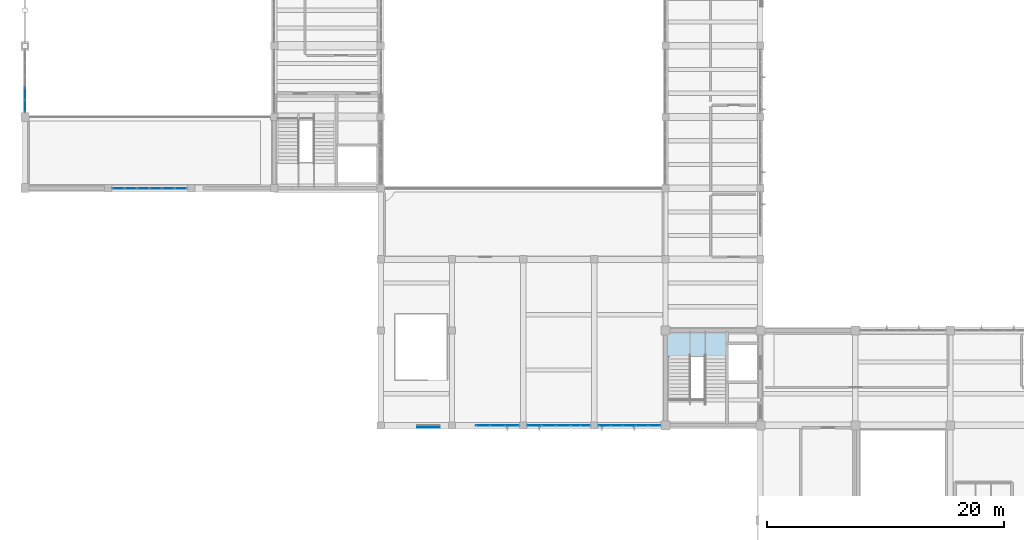
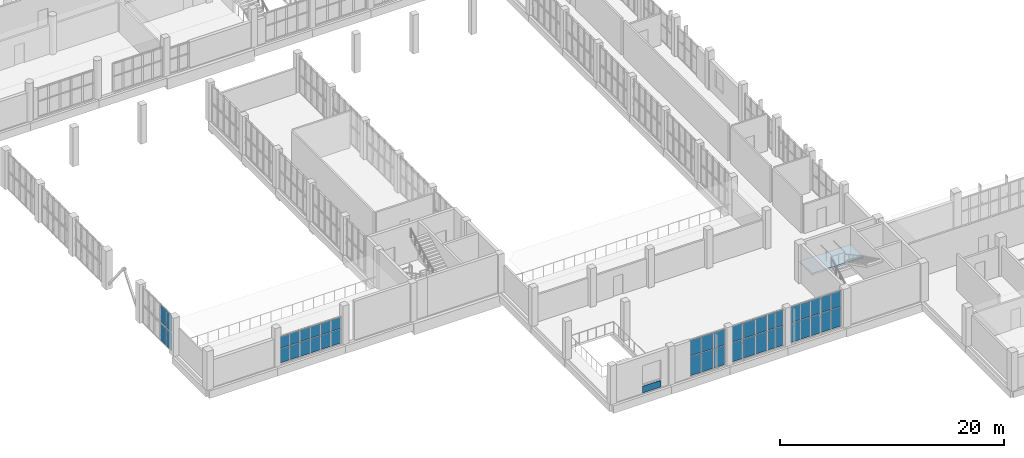
# One storey, part 45 of 85: 43 plates, 1 slab, 8 elements without a shape of their own.
"""IFC4 building model written with IfcOpenShell, lengths in metres."""

from ifc_helpers import new_model, si_unit, direction, frame, origin, origin_2d, place, context, subcontext, project, spatial, polyline, rectangle, outline, extrude, material, layer, layer_set, type_object, element, aggregate, save


model = new_model("IFC4")

# Units and contexts
model_context = context("Model", 3, precision=1e-05, world=origin(), true_north=direction((0.0, 1.0)))
body_context = subcontext(model_context, "Body", "Model", "MODEL_VIEW")
ifc_project = project(units=[si_unit("LENGTHUNIT", "METRE"), si_unit("AREAUNIT", "SQUARE_METRE"), si_unit("VOLUMEUNIT", "CUBIC_METRE"), si_unit("PLANEANGLEUNIT", "RADIAN"), si_unit("MASSUNIT", "GRAM", prefix="KILO")], contexts=[model_context])

# Site, building, storey
site_placement = place(None, origin())
site = spatial("IfcSite", under=ifc_project, at=site_placement, CompositionType="ELEMENT")
building_placement = place(site_placement, origin())
building = spatial("IfcBuilding", under=site, at=building_placement, Name="Solvane Community Centre", CompositionType="ELEMENT")
storey_placement = place(building_placement, frame((0.0, 0.0, 5.39990234375)))
storey = spatial("IfcBuildingStorey", under=building, at=storey_placement, Name="L01", CompositionType="ELEMENT", Elevation=5.39990234375)

# Plate
ifc_material_1 = material(Name="Anodised bronze aluminium AW-6063 T6", Category="aluminium")
ifc_layer_1 = layer(ifc_material_1, 0.02392578125)
ifc_layer_set_1 = layer_set([ifc_layer_1], Name="Anodised bronze aluminium AW-6063 T6")
plate_type_1 = type_object("IfcPlateType", Name="Bronze Spandrel Cassette 24mm", PredefinedType="SHEET", material=ifc_layer_set_1)
plate_1_placement = place(storey_placement, frame((40.0, 21.81298828125, 0.06005859375), z_axis=(0.0, 0.0, 1.0), x_axis=(-1.0, 0.0, 0.0)))
element("IfcPlate", 1, at=plate_1_placement, inside=storey, type_object=plate_type_1, Name="Art Deco Spandrel SPC-L01-025", PredefinedType="SHEET", context=body_context, shape_type="SweptSolid", body=[
    extrude(rectangle(XDim=1.89990234375, YDim=0.02392578125, at=origin_2d()), origin(), (0.0, 0.0, 1.0), 0.719970703125),
])

# Curtain wall, plates
ifc_layer_2 = layer(ifc_material_1, 0.18994140625)
ifc_layer_set_2 = layer_set([ifc_layer_2], Name="Anodised bronze aluminium AW-6063 T6")
curtain_wall_type_1 = type_object("IfcCurtainWallType", Name="Boulevard Bronze Vision Curtain Wall [17x40dm]", PredefinedType="NOTDEFINED", material=ifc_layer_set_2)
curtain_wall_1_placement = place(storey_placement, origin())
curtain_wall_1 = element("IfcCurtainWall", 2, at=curtain_wall_1_placement, inside=storey, type_object=curtain_wall_type_1, Name="Curtain Wall CW-L01-537_220-081", PredefinedType="NOTDEFINED")
ifc_material_2 = material(Name="Tempered low-E double glazing", Category="glass")
ifc_layer_3 = layer(ifc_material_2, 0.028076171875)
ifc_layer_set_3 = layer_set([ifc_layer_3], Name="Tempered low-E double glazing")
plate_type_2 = type_object("IfcPlateType", Name="Low-E Vision Glazing Panel 28mm [17x40dm]", PredefinedType="CURTAIN_PANEL", material=ifc_layer_set_3)
plate_2_placement = place(storey_placement, frame((53.2451171875, 22.0, 0.06005859375), z_axis=(0.0, 0.0, 1.0), x_axis=(-1.0, 0.0, 0.0)))
plate_2 = element("IfcPlate", 3, at=plate_2_placement, type_object=plate_type_2, Name="CW02-17x40 panel 1.1", PredefinedType="CURTAIN_PANEL", context=body_context, shape_type="SweptSolid", body=[
    extrude(rectangle(XDim=0.75, YDim=0.028076171875, at=origin_2d()), origin(), (0.0, 0.0, 1.0), 2.09912109375),
])
plate_3_placement = place(storey_placement, frame((53.2451171875, 22.0, 2.21923828125), z_axis=(0.0, 0.0, 1.0), x_axis=(-1.0, 0.0, 0.0)))
plate_3 = element("IfcPlate", 4, at=plate_3_placement, type_object=plate_type_2, Name="CW02-17x40 panel 1.2", PredefinedType="CURTAIN_PANEL", context=body_context, shape_type="SweptSolid", body=[
    extrude(rectangle(XDim=0.75, YDim=0.028076171875, at=origin_2d()), origin(), (0.0, 0.0, 1.0), 1.700927734375),
])
plate_4_placement = place(storey_placement, frame((52.43505859375, 22.0, 0.06005859375), z_axis=(0.0, 0.0, 1.0), x_axis=(-1.0, 0.0, 0.0)))
plate_4 = element("IfcPlate", 5, at=plate_4_placement, type_object=plate_type_2, Name="CW02-17x40 panel 2.1", PredefinedType="CURTAIN_PANEL", context=body_context, shape_type="SweptSolid", body=[
    extrude(rectangle(XDim=0.75, YDim=0.028076171875, at=origin_2d()), origin(), (0.0, 0.0, 1.0), 2.09912109375),
])
plate_5_placement = place(storey_placement, frame((52.43505859375, 22.0, 2.21923828125), z_axis=(0.0, 0.0, 1.0), x_axis=(-1.0, 0.0, 0.0)))
plate_5 = element("IfcPlate", 6, at=plate_5_placement, type_object=plate_type_2, Name="CW02-17x40 panel 2.2", PredefinedType="CURTAIN_PANEL", context=body_context, shape_type="SweptSolid", body=[
    extrude(rectangle(XDim=0.75, YDim=0.028076171875, at=origin_2d()), origin(), (0.0, 0.0, 1.0), 1.700927734375),
])
aggregate(curtain_wall_1, [plate_2, plate_3, plate_4, plate_5])

ifc_layer_4 = layer(ifc_material_1, 0.18994140625)
ifc_layer_set_4 = layer_set([ifc_layer_4], Name="Anodised bronze aluminium AW-6063 T6")
curtain_wall_type_2 = type_object("IfcCurtainWallType", Name="Boulevard Bronze Vision Curtain Wall [37x40dm]", PredefinedType="NOTDEFINED", material=ifc_layer_set_4)
curtain_wall_2_placement = place(storey_placement, origin())
curtain_wall_2 = element("IfcCurtainWall", 7, at=curtain_wall_2_placement, inside=storey, type_object=curtain_wall_type_2, Name="Curtain Wall CW-L01-520_220-082", PredefinedType="NOTDEFINED")
ifc_layer_5 = layer(ifc_material_2, 0.028076171875)
ifc_layer_set_5 = layer_set([ifc_layer_5], Name="Tempered low-E double glazing")
plate_type_3 = type_object("IfcPlateType", Name="Low-E Vision Glazing Panel 28mm [37x40dm]", PredefinedType="CURTAIN_PANEL", material=ifc_layer_set_5)
plate_6_placement = place(storey_placement, frame((51.37158203125, 22.0, 0.06005859375), z_axis=(0.0, 0.0, 1.0), x_axis=(-1.0, 0.0, 0.0)))
plate_6 = element("IfcPlate", 8, at=plate_6_placement, type_object=plate_type_3, Name="CW02-37x40 panel 1.1", PredefinedType="CURTAIN_PANEL", context=body_context, shape_type="SweptSolid", body=[
    extrude(rectangle(XDim=1.13671875, YDim=0.028076171875, at=origin_2d()), origin(), (0.0, 0.0, 1.0), 2.09912109375),
])
plate_7_placement = place(storey_placement, frame((51.37158203125, 22.0, 2.21923828125), z_axis=(0.0, 0.0, 1.0), x_axis=(-1.0, 0.0, 0.0)))
plate_7 = element("IfcPlate", 9, at=plate_7_placement, type_object=plate_type_3, Name="CW02-37x40 panel 1.2", PredefinedType="CURTAIN_PANEL", context=body_context, shape_type="SweptSolid", body=[
    extrude(rectangle(XDim=1.13671875, YDim=0.028076171875, at=origin_2d()), origin(), (0.0, 0.0, 1.0), 1.700927734375),
])
plate_8_placement = place(storey_placement, frame((50.159912109375, 22.0, 0.06005859375), z_axis=(0.0, 0.0, 1.0), x_axis=(-1.0, 0.0, 0.0)))
plate_8 = element("IfcPlate", 10, at=plate_8_placement, type_object=plate_type_3, Name="CW02-37x40 panel 2.1", PredefinedType="CURTAIN_PANEL", context=body_context, shape_type="SweptSolid", body=[
    extrude(rectangle(XDim=1.166748046875, YDim=0.028076171875, at=origin_2d()), origin(), (0.0, 0.0, 1.0), 2.09912109375),
])
plate_9_placement = place(storey_placement, frame((50.159912109375, 22.0, 2.21923828125), z_axis=(0.0, 0.0, 1.0), x_axis=(-1.0, 0.0, 0.0)))
plate_9 = element("IfcPlate", 11, at=plate_9_placement, type_object=plate_type_3, Name="CW02-37x40 panel 2.2", PredefinedType="CURTAIN_PANEL", context=body_context, shape_type="SweptSolid", body=[
    extrude(rectangle(XDim=1.166748046875, YDim=0.028076171875, at=origin_2d()), origin(), (0.0, 0.0, 1.0), 1.700927734375),
])
plate_10_placement = place(storey_placement, frame((48.9482421875, 22.0, 0.06005859375), z_axis=(0.0, 0.0, 1.0), x_axis=(-1.0, 0.0, 0.0)))
plate_10 = element("IfcPlate", 12, at=plate_10_placement, type_object=plate_type_3, Name="CW02-37x40 panel 3.1", PredefinedType="CURTAIN_PANEL", context=body_context, shape_type="SweptSolid", body=[
    extrude(rectangle(XDim=1.13671875, YDim=0.028076171875, at=origin_2d()), origin(), (0.0, 0.0, 1.0), 2.09912109375),
])
plate_11_placement = place(storey_placement, frame((48.9482421875, 22.0, 2.21923828125), z_axis=(0.0, 0.0, 1.0), x_axis=(-1.0, 0.0, 0.0)))
plate_11 = element("IfcPlate", 13, at=plate_11_placement, type_object=plate_type_3, Name="CW02-37x40 panel 3.2", PredefinedType="CURTAIN_PANEL", context=body_context, shape_type="SweptSolid", body=[
    extrude(rectangle(XDim=1.13671875, YDim=0.028076171875, at=origin_2d()), origin(), (0.0, 0.0, 1.0), 1.700927734375),
])
aggregate(curtain_wall_2, [plate_6, plate_7, plate_8, plate_9, plate_10, plate_11])

curtain_wall_3_placement = place(storey_placement, origin())
curtain_wall_3 = element("IfcCurtainWall", 14, at=curtain_wall_3_placement, inside=storey, type_object=curtain_wall_type_2, Name="Curtain Wall CW-L01-477_220-083", PredefinedType="NOTDEFINED")
plate_12_placement = place(storey_placement, frame((47.0517578125, 22.0, 0.06005859375), z_axis=(0.0, 0.0, 1.0), x_axis=(-1.0, 0.0, 0.0)))
plate_12 = element("IfcPlate", 15, at=plate_12_placement, type_object=plate_type_3, Name="CW02-37x40 panel 1.1", PredefinedType="CURTAIN_PANEL", context=body_context, shape_type="SweptSolid", body=[
    extrude(rectangle(XDim=1.13671875, YDim=0.028076171875, at=origin_2d()), origin(), (0.0, 0.0, 1.0), 2.09912109375),
])
plate_13_placement = place(storey_placement, frame((47.0517578125, 22.0, 2.21923828125), z_axis=(0.0, 0.0, 1.0), x_axis=(-1.0, 0.0, 0.0)))
plate_13 = element("IfcPlate", 16, at=plate_13_placement, type_object=plate_type_3, Name="CW02-37x40 panel 1.2", PredefinedType="CURTAIN_PANEL", context=body_context, shape_type="SweptSolid", body=[
    extrude(rectangle(XDim=1.13671875, YDim=0.028076171875, at=origin_2d()), origin(), (0.0, 0.0, 1.0), 1.700927734375),
])
plate_14_placement = place(storey_placement, frame((45.840087890625, 22.0, 0.06005859375), z_axis=(0.0, 0.0, 1.0), x_axis=(-1.0, 0.0, 0.0)))
plate_14 = element("IfcPlate", 17, at=plate_14_placement, type_object=plate_type_3, Name="CW02-37x40 panel 2.1", PredefinedType="CURTAIN_PANEL", context=body_context, shape_type="SweptSolid", body=[
    extrude(rectangle(XDim=1.166748046875, YDim=0.028076171875, at=origin_2d()), origin(), (0.0, 0.0, 1.0), 2.09912109375),
])
plate_15_placement = place(storey_placement, frame((45.840087890625, 22.0, 2.21923828125), z_axis=(0.0, 0.0, 1.0), x_axis=(-1.0, 0.0, 0.0)))
plate_15 = element("IfcPlate", 18, at=plate_15_placement, type_object=plate_type_3, Name="CW02-37x40 panel 2.2", PredefinedType="CURTAIN_PANEL", context=body_context, shape_type="SweptSolid", body=[
    extrude(rectangle(XDim=1.166748046875, YDim=0.028076171875, at=origin_2d()), origin(), (0.0, 0.0, 1.0), 1.700927734375),
])
plate_16_placement = place(storey_placement, frame((44.62841796875, 22.0, 0.06005859375), z_axis=(0.0, 0.0, 1.0), x_axis=(-1.0, 0.0, 0.0)))
plate_16 = element("IfcPlate", 19, at=plate_16_placement, type_object=plate_type_3, Name="CW02-37x40 panel 3.1", PredefinedType="CURTAIN_PANEL", context=body_context, shape_type="SweptSolid", body=[
    extrude(rectangle(XDim=1.13671875, YDim=0.028076171875, at=origin_2d()), origin(), (0.0, 0.0, 1.0), 2.09912109375),
])
plate_17_placement = place(storey_placement, frame((44.62841796875, 22.0, 2.21923828125), z_axis=(0.0, 0.0, 1.0), x_axis=(-1.0, 0.0, 0.0)))
plate_17 = element("IfcPlate", 20, at=plate_17_placement, type_object=plate_type_3, Name="CW02-37x40 panel 3.2", PredefinedType="CURTAIN_PANEL", context=body_context, shape_type="SweptSolid", body=[
    extrude(rectangle(XDim=1.13671875, YDim=0.028076171875, at=origin_2d()), origin(), (0.0, 0.0, 1.0), 1.700927734375),
])
aggregate(curtain_wall_3, [plate_12, plate_13, plate_14, plate_15, plate_16, plate_17])

ifc_layer_6 = layer(ifc_material_1, 0.18994140625)
ifc_layer_set_6 = layer_set([ifc_layer_6], Name="Anodised bronze aluminium AW-6063 T6")
curtain_wall_type_3 = type_object("IfcCurtainWallType", Name="Boulevard Bronze Vision Curtain Wall [53x40dm]", PredefinedType="NOTDEFINED", material=ifc_layer_set_6)
curtain_wall_4_placement = place(storey_placement, origin())
curtain_wall_4 = element("IfcCurtainWall", 21, at=curtain_wall_4_placement, inside=storey, type_object=curtain_wall_type_3, Name="Curtain Wall CW-L01-596_220-080", PredefinedType="NOTDEFINED")
ifc_layer_7 = layer(ifc_material_2, 0.028076171875)
ifc_layer_set_7 = layer_set([ifc_layer_7], Name="Tempered low-E double glazing")
plate_type_4 = type_object("IfcPlateType", Name="Low-E Vision Glazing Panel 28mm [53x40dm]", PredefinedType="CURTAIN_PANEL", material=ifc_layer_set_7)
plate_18_placement = place(storey_placement, frame((59.06591796875, 22.0, 0.06005859375), z_axis=(0.0, 0.0, 1.0), x_axis=(-1.0, 0.0, 0.0)))
plate_18 = element("IfcPlate", 22, at=plate_18_placement, type_object=plate_type_4, Name="CW02-53x40 panel 1.1", PredefinedType="CURTAIN_PANEL", context=body_context, shape_type="SweptSolid", body=[
    extrude(rectangle(XDim=0.968017578125, YDim=0.028076171875, at=origin_2d()), origin(), (0.0, 0.0, 1.0), 2.09912109375),
])
plate_19_placement = place(storey_placement, frame((59.06591796875, 22.0, 2.21923828125), z_axis=(0.0, 0.0, 1.0), x_axis=(-1.0, 0.0, 0.0)))
plate_19 = element("IfcPlate", 23, at=plate_19_placement, type_object=plate_type_4, Name="CW02-53x40 panel 1.2", PredefinedType="CURTAIN_PANEL", context=body_context, shape_type="SweptSolid", body=[
    extrude(rectangle(XDim=0.968017578125, YDim=0.028076171875, at=origin_2d()), origin(), (0.0, 0.0, 1.0), 1.700927734375),
])
plate_20_placement = place(storey_placement, frame((58.02294921875, 22.0, 0.06005859375), z_axis=(0.0, 0.0, 1.0), x_axis=(-1.0, 0.0, 0.0)))
plate_20 = element("IfcPlate", 24, at=plate_20_placement, type_object=plate_type_4, Name="CW02-53x40 panel 2.1", PredefinedType="CURTAIN_PANEL", context=body_context, shape_type="SweptSolid", body=[
    extrude(rectangle(XDim=0.998046875, YDim=0.028076171875, at=origin_2d()), origin(), (0.0, 0.0, 1.0), 2.09912109375),
])
plate_21_placement = place(storey_placement, frame((58.02294921875, 22.0, 2.21923828125), z_axis=(0.0, 0.0, 1.0), x_axis=(-1.0, 0.0, 0.0)))
plate_21 = element("IfcPlate", 25, at=plate_21_placement, type_object=plate_type_4, Name="CW02-53x40 panel 2.2", PredefinedType="CURTAIN_PANEL", context=body_context, shape_type="SweptSolid", body=[
    extrude(rectangle(XDim=0.998046875, YDim=0.028076171875, at=origin_2d()), origin(), (0.0, 0.0, 1.0), 1.700927734375),
])
plate_22_placement = place(storey_placement, frame((56.965087890625, 22.0, 0.06005859375), z_axis=(0.0, 0.0, 1.0), x_axis=(-1.0, 0.0, 0.0)))
plate_22 = element("IfcPlate", 26, at=plate_22_placement, type_object=plate_type_4, Name="CW02-53x40 panel 3.1", PredefinedType="CURTAIN_PANEL", context=body_context, shape_type="SweptSolid", body=[
    extrude(rectangle(XDim=0.998046875, YDim=0.028076171875, at=origin_2d()), origin(), (0.0, 0.0, 1.0), 2.09912109375),
])
plate_23_placement = place(storey_placement, frame((56.965087890625, 22.0, 2.21923828125), z_axis=(0.0, 0.0, 1.0), x_axis=(-1.0, 0.0, 0.0)))
plate_23 = element("IfcPlate", 27, at=plate_23_placement, type_object=plate_type_4, Name="CW02-53x40 panel 3.2", PredefinedType="CURTAIN_PANEL", context=body_context, shape_type="SweptSolid", body=[
    extrude(rectangle(XDim=0.998046875, YDim=0.028076171875, at=origin_2d()), origin(), (0.0, 0.0, 1.0), 1.700927734375),
])
plate_24_placement = place(storey_placement, frame((55.906982421875, 22.0, 0.06005859375), z_axis=(0.0, 0.0, 1.0), x_axis=(-1.0, 0.0, 0.0)))
plate_24 = element("IfcPlate", 28, at=plate_24_placement, type_object=plate_type_4, Name="CW02-53x40 panel 4.1", PredefinedType="CURTAIN_PANEL", context=body_context, shape_type="SweptSolid", body=[
    extrude(rectangle(XDim=0.998046875, YDim=0.028076171875, at=origin_2d()), origin(), (0.0, 0.0, 1.0), 2.09912109375),
])
plate_25_placement = place(storey_placement, frame((55.906982421875, 22.0, 2.21923828125), z_axis=(0.0, 0.0, 1.0), x_axis=(-1.0, 0.0, 0.0)))
plate_25 = element("IfcPlate", 29, at=plate_25_placement, type_object=plate_type_4, Name="CW02-53x40 panel 4.2", PredefinedType="CURTAIN_PANEL", context=body_context, shape_type="SweptSolid", body=[
    extrude(rectangle(XDim=0.998046875, YDim=0.028076171875, at=origin_2d()), origin(), (0.0, 0.0, 1.0), 1.700927734375),
])
plate_26_placement = place(storey_placement, frame((54.864013671875, 22.0, 0.06005859375), z_axis=(0.0, 0.0, 1.0), x_axis=(-1.0, 0.0, 0.0)))
plate_26 = element("IfcPlate", 30, at=plate_26_placement, type_object=plate_type_4, Name="CW02-53x40 panel 5.1", PredefinedType="CURTAIN_PANEL", context=body_context, shape_type="SweptSolid", body=[
    extrude(rectangle(XDim=0.968017578125, YDim=0.028076171875, at=origin_2d()), origin(), (0.0, 0.0, 1.0), 2.09912109375),
])
plate_27_placement = place(storey_placement, frame((54.864013671875, 22.0, 2.21923828125), z_axis=(0.0, 0.0, 1.0), x_axis=(-1.0, 0.0, 0.0)))
plate_27 = element("IfcPlate", 31, at=plate_27_placement, type_object=plate_type_4, Name="CW02-53x40 panel 5.2", PredefinedType="CURTAIN_PANEL", context=body_context, shape_type="SweptSolid", body=[
    extrude(rectangle(XDim=0.968017578125, YDim=0.028076171875, at=origin_2d()), origin(), (0.0, 0.0, 1.0), 1.700927734375),
])
aggregate(curtain_wall_4, [plate_18, plate_19, plate_20, plate_21, plate_22, plate_23, plate_24, plate_25, plate_26, plate_27])

ifc_layer_8 = layer(ifc_material_1, 0.18994140625)
ifc_layer_set_8 = layer_set([ifc_layer_8], Name="Anodised bronze aluminium AW-6063 T6")
curtain_wall_type_4 = type_object("IfcCurtainWallType", Name="Boulevard Bronze Vision Curtain Wall [63x30dm]", PredefinedType="NOTDEFINED", material=ifc_layer_set_8)
curtain_wall_5_placement = place(storey_placement, origin())
curtain_wall_5 = element("IfcCurtainWall", 32, at=curtain_wall_5_placement, inside=storey, type_object=curtain_wall_type_4, Name="Curtain Wall CW-L01-197_420-084", PredefinedType="NOTDEFINED")
ifc_layer_9 = layer(ifc_material_2, 0.028076171875)
ifc_layer_set_9 = layer_set([ifc_layer_9], Name="Tempered low-E double glazing")
plate_type_5 = type_object("IfcPlateType", Name="Low-E Vision Glazing Panel 28mm [63x30dm]", PredefinedType="CURTAIN_PANEL", material=ifc_layer_set_9)
plate_28_placement = place(storey_placement, frame((19.126708984375, 42.0, 0.06005859375), z_axis=(0.0, 0.0, 1.0), x_axis=(-1.0, 0.0, 0.0)))
plate_28 = element("IfcPlate", 33, at=plate_28_placement, type_object=plate_type_5, Name="CW02-63x30 panel 1.1", PredefinedType="CURTAIN_PANEL", context=body_context, shape_type="SweptSolid", body=[
    extrude(rectangle(XDim=0.966552734375, YDim=0.028076171875, at=origin_2d()), origin(), (0.0, 0.0, 1.0), 1.541015625),
])
plate_29_placement = place(storey_placement, frame((19.126708984375, 42.0, 1.6611328125), z_axis=(0.0, 0.0, 1.0), x_axis=(-1.0, 0.0, 0.0)))
plate_29 = element("IfcPlate", 34, at=plate_29_placement, type_object=plate_type_5, Name="CW02-63x30 panel 1.2", PredefinedType="CURTAIN_PANEL", context=body_context, shape_type="SweptSolid", body=[
    extrude(rectangle(XDim=0.966552734375, YDim=0.028076171875, at=origin_2d()), origin(), (0.0, 0.0, 1.0), 1.243896484375),
])
plate_30_placement = place(storey_placement, frame((18.0849609375, 42.0, 0.06005859375), z_axis=(0.0, 0.0, 1.0), x_axis=(-1.0, 0.0, 0.0)))
plate_30 = element("IfcPlate", 35, at=plate_30_placement, type_object=plate_type_5, Name="CW02-63x30 panel 2.1", PredefinedType="CURTAIN_PANEL", context=body_context, shape_type="SweptSolid", body=[
    extrude(rectangle(XDim=0.99658203125, YDim=0.028076171875, at=origin_2d()), origin(), (0.0, 0.0, 1.0), 1.541015625),
])
plate_31_placement = place(storey_placement, frame((18.0849609375, 42.0, 1.6611328125), z_axis=(0.0, 0.0, 1.0), x_axis=(-1.0, 0.0, 0.0)))
plate_31 = element("IfcPlate", 36, at=plate_31_placement, type_object=plate_type_5, Name="CW02-63x30 panel 2.2", PredefinedType="CURTAIN_PANEL", context=body_context, shape_type="SweptSolid", body=[
    extrude(rectangle(XDim=0.99658203125, YDim=0.028076171875, at=origin_2d()), origin(), (0.0, 0.0, 1.0), 1.243896484375),
])
plate_32_placement = place(storey_placement, frame((17.0283203125, 42.0, 0.06005859375), z_axis=(0.0, 0.0, 1.0), x_axis=(-1.0, 0.0, 0.0)))
plate_32 = element("IfcPlate", 37, at=plate_32_placement, type_object=plate_type_5, Name="CW02-63x30 panel 3.1", PredefinedType="CURTAIN_PANEL", context=body_context, shape_type="SweptSolid", body=[
    extrude(rectangle(XDim=0.99658203125, YDim=0.028076171875, at=origin_2d()), origin(), (0.0, 0.0, 1.0), 1.541015625),
])
plate_33_placement = place(storey_placement, frame((17.0283203125, 42.0, 1.6611328125), z_axis=(0.0, 0.0, 1.0), x_axis=(-1.0, 0.0, 0.0)))
plate_33 = element("IfcPlate", 38, at=plate_33_placement, type_object=plate_type_5, Name="CW02-63x30 panel 3.2", PredefinedType="CURTAIN_PANEL", context=body_context, shape_type="SweptSolid", body=[
    extrude(rectangle(XDim=0.99658203125, YDim=0.028076171875, at=origin_2d()), origin(), (0.0, 0.0, 1.0), 1.243896484375),
])
plate_34_placement = place(storey_placement, frame((15.9716796875, 42.0, 0.06005859375), z_axis=(0.0, 0.0, 1.0), x_axis=(-1.0, 0.0, 0.0)))
plate_34 = element("IfcPlate", 39, at=plate_34_placement, type_object=plate_type_5, Name="CW02-63x30 panel 4.1", PredefinedType="CURTAIN_PANEL", context=body_context, shape_type="SweptSolid", body=[
    extrude(rectangle(XDim=0.99658203125, YDim=0.028076171875, at=origin_2d()), origin(), (0.0, 0.0, 1.0), 1.541015625),
])
plate_35_placement = place(storey_placement, frame((15.9716796875, 42.0, 1.6611328125), z_axis=(0.0, 0.0, 1.0), x_axis=(-1.0, 0.0, 0.0)))
plate_35 = element("IfcPlate", 40, at=plate_35_placement, type_object=plate_type_5, Name="CW02-63x30 panel 4.2", PredefinedType="CURTAIN_PANEL", context=body_context, shape_type="SweptSolid", body=[
    extrude(rectangle(XDim=0.99658203125, YDim=0.028076171875, at=origin_2d()), origin(), (0.0, 0.0, 1.0), 1.243896484375),
])
plate_36_placement = place(storey_placement, frame((14.9150390625, 42.0, 0.06005859375), z_axis=(0.0, 0.0, 1.0), x_axis=(-1.0, 0.0, 0.0)))
plate_36 = element("IfcPlate", 41, at=plate_36_placement, type_object=plate_type_5, Name="CW02-63x30 panel 5.1", PredefinedType="CURTAIN_PANEL", context=body_context, shape_type="SweptSolid", body=[
    extrude(rectangle(XDim=0.99658203125, YDim=0.028076171875, at=origin_2d()), origin(), (0.0, 0.0, 1.0), 1.541015625),
])
plate_37_placement = place(storey_placement, frame((14.9150390625, 42.0, 1.6611328125), z_axis=(0.0, 0.0, 1.0), x_axis=(-1.0, 0.0, 0.0)))
plate_37 = element("IfcPlate", 42, at=plate_37_placement, type_object=plate_type_5, Name="CW02-63x30 panel 5.2", PredefinedType="CURTAIN_PANEL", context=body_context, shape_type="SweptSolid", body=[
    extrude(rectangle(XDim=0.99658203125, YDim=0.028076171875, at=origin_2d()), origin(), (0.0, 0.0, 1.0), 1.243896484375),
])
plate_38_placement = place(storey_placement, frame((13.873291015625, 42.0, 0.06005859375), z_axis=(0.0, 0.0, 1.0), x_axis=(-1.0, 0.0, 0.0)))
plate_38 = element("IfcPlate", 43, at=plate_38_placement, type_object=plate_type_5, Name="CW02-63x30 panel 6.1", PredefinedType="CURTAIN_PANEL", context=body_context, shape_type="SweptSolid", body=[
    extrude(rectangle(XDim=0.966552734375, YDim=0.028076171875, at=origin_2d()), origin(), (0.0, 0.0, 1.0), 1.541015625),
])
plate_39_placement = place(storey_placement, frame((13.873291015625, 42.0, 1.6611328125), z_axis=(0.0, 0.0, 1.0), x_axis=(-1.0, 0.0, 0.0)))
plate_39 = element("IfcPlate", 44, at=plate_39_placement, type_object=plate_type_5, Name="CW02-63x30 panel 6.2", PredefinedType="CURTAIN_PANEL", context=body_context, shape_type="SweptSolid", body=[
    extrude(rectangle(XDim=0.966552734375, YDim=0.028076171875, at=origin_2d()), origin(), (0.0, 0.0, 1.0), 1.243896484375),
])
aggregate(curtain_wall_5, [plate_28, plate_29, plate_30, plate_31, plate_32, plate_33, plate_34, plate_35, plate_36, plate_37, plate_38, plate_39])

# Stair, slab
ifc_material_3 = material(Name="Concrete C35/45", Category="concrete")
stair_type = type_object("IfcStairType", Name="RC Two-Flight Escape Stair 1720mm", PredefinedType="TWO_STRAIGHT_RUN_STAIR", material=ifc_material_3)
stair_placement = place(storey_placement, origin())
stair = element("IfcStair", 45, at=stair_placement, inside=storey, type_object=stair_type, Name="Stair STR-C1-L01", PredefinedType="TWO_STRAIGHT_RUN_STAIR")
ifc_layer_10 = layer(ifc_material_3, 0.199951171875)
ifc_layer_set_10 = layer_set([ifc_layer_10], Name="Concrete C35/45")
slab_type = type_object("IfcSlabType", Name="RC Stair Half-Landing Slab 200mm", PredefinedType="LANDING", material=ifc_layer_set_10)
slab_placement = place(storey_placement, frame((0.0, 0.0, 1.900146484375)))
slab = element("IfcSlab", 46, at=slab_placement, type_object=slab_type, Name="ST-01 landing 1", PredefinedType="LANDING", context=body_context, shape_type="SweptSolid", body=[
    extrude(outline(polyline([(59.9599609375, 27.800048828125), (65.239990234375, 27.800048828125), (65.239990234375, 30.0400390625), (59.9599609375, 30.0400390625), (59.9599609375, 27.800048828125)])), origin(), (0.0, 0.0, 1.0), 0.199951171875),
])
aggregate(stair, [slab])

# Curtain wall, plates
ifc_layer_11 = layer(ifc_material_1, 0.179931640625)
ifc_layer_set_11 = layer_set([ifc_layer_11], Name="Anodised bronze aluminium AW-6063 T6")
curtain_wall_type_5 = type_object("IfcCurtainWallType", Name="Hall Translucent Upper Curtain Wall [52x19dm]", PredefinedType="NOTDEFINED", material=ifc_layer_set_11)
curtain_wall_6_placement = place(storey_placement, origin())
curtain_wall_6 = element("IfcCurtainWall", 47, at=curtain_wall_6_placement, inside=storey, type_object=curtain_wall_type_5, Name="Curtain Wall CW-L01-60_484-039", PredefinedType="NOTDEFINED")
ifc_material_4 = material(Name="Translucent polycarbonate panel")
ifc_layer_12 = layer(ifc_material_4, 0.028076171875)
ifc_layer_set_12 = layer_set([ifc_layer_12], Name="Translucent polycarbonate panel")
plate_type_6 = type_object("IfcPlateType", Name="Translucent Polycarbonate Panel 28mm [52x19dm]", PredefinedType="CURTAIN_PANEL", material=ifc_layer_set_12)
plate_40_placement = place(storey_placement, frame((6.0, 48.930908203125, 0.06005859375), z_axis=(0.0, 0.0, 1.0), x_axis=(0.0, 1.0, 0.0)))
plate_40 = element("IfcPlate", 48, at=plate_40_placement, type_object=plate_type_6, Name="CW01-52x19 panel 1.1", PredefinedType="CURTAIN_PANEL", context=body_context, shape_type="SweptSolid", body=[
    extrude(rectangle(XDim=0.951904296875, YDim=0.028076171875, at=origin_2d()), origin(), (0.0, 0.0, 1.0), 1.830078125),
])
plate_41_placement = place(storey_placement, frame((6.0, 49.9580078125, 0.06005859375), z_axis=(0.0, 0.0, 1.0), x_axis=(0.0, 1.0, 0.0)))
plate_41 = element("IfcPlate", 49, at=plate_41_placement, type_object=plate_type_6, Name="CW01-52x19 panel 2.1", PredefinedType="CURTAIN_PANEL", context=body_context, shape_type="SweptSolid", body=[
    extrude(rectangle(XDim=0.98193359375, YDim=0.028076171875, at=origin_2d()), origin(), (0.0, 0.0, 1.0), 1.830078125),
])
aggregate(curtain_wall_6, [plate_40, plate_41])

ifc_layer_13 = layer(ifc_material_1, 0.179931640625)
ifc_layer_set_13 = layer_set([ifc_layer_13], Name="Anodised bronze aluminium AW-6063 T6")
curtain_wall_type_6 = type_object("IfcCurtainWallType", Name="Hall Translucent Upper Curtain Wall [52x20dm]", PredefinedType="NOTDEFINED", material=ifc_layer_set_13)
curtain_wall_7_placement = place(storey_placement, origin())
curtain_wall_7 = element("IfcCurtainWall", 50, at=curtain_wall_7_placement, inside=storey, type_object=curtain_wall_type_6, Name="Curtain Wall CW-L01-60_484-040", PredefinedType="NOTDEFINED")
ifc_layer_14 = layer(ifc_material_4, 0.028076171875)
ifc_layer_set_14 = layer_set([ifc_layer_14], Name="Translucent polycarbonate panel")
plate_type_7 = type_object("IfcPlateType", Name="Translucent Polycarbonate Panel 28mm [52x20dm]", PredefinedType="CURTAIN_PANEL", material=ifc_layer_set_14)
plate_42_placement = place(storey_placement, frame((6.0, 48.930908203125, 2.080078125), z_axis=(0.0, 0.0, 1.0), x_axis=(0.0, 1.0, 0.0)))
plate_42 = element("IfcPlate", 51, at=plate_42_placement, type_object=plate_type_7, Name="CW01-52x20 panel 1.1", PredefinedType="CURTAIN_PANEL", context=body_context, shape_type="SweptSolid", body=[
    extrude(rectangle(XDim=0.951904296875, YDim=0.028076171875, at=origin_2d()), origin(), (0.0, 0.0, 1.0), 1.840087890625),
])
plate_43_placement = place(storey_placement, frame((6.0, 49.9580078125, 2.080078125), z_axis=(0.0, 0.0, 1.0), x_axis=(0.0, 1.0, 0.0)))
plate_43 = element("IfcPlate", 52, at=plate_43_placement, type_object=plate_type_7, Name="CW01-52x20 panel 2.1", PredefinedType="CURTAIN_PANEL", context=body_context, shape_type="SweptSolid", body=[
    extrude(rectangle(XDim=0.98193359375, YDim=0.028076171875, at=origin_2d()), origin(), (0.0, 0.0, 1.0), 1.840087890625),
])
aggregate(curtain_wall_7, [plate_42, plate_43])

save(model, "model.ifc")
